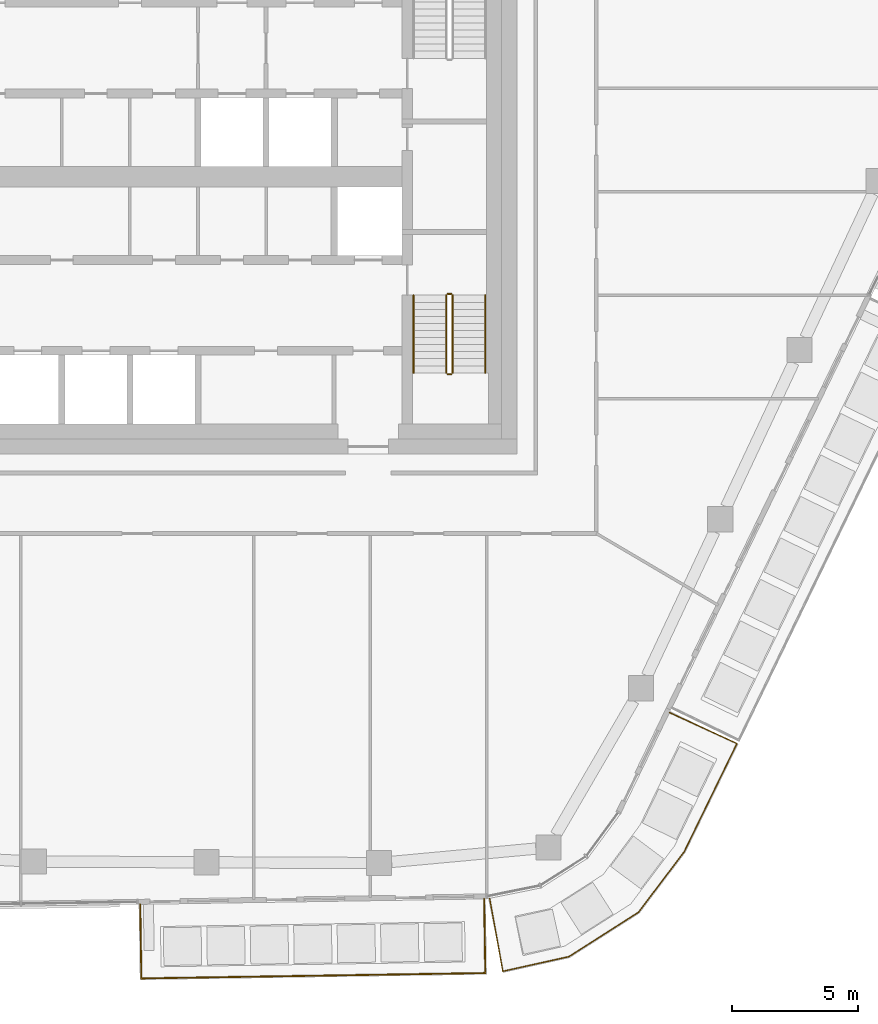
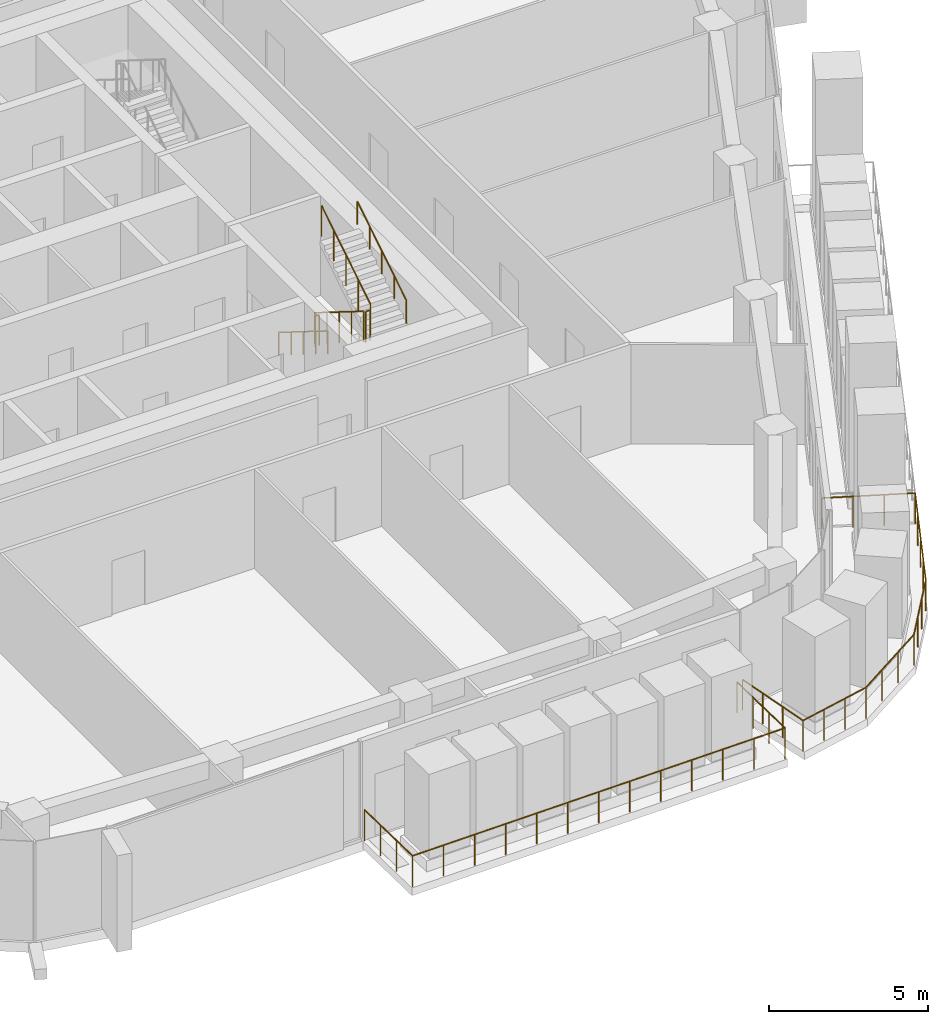
# One storey, part 20 of 24: 8 railings.
"""IFC4 building model written with IfcOpenShell, lengths in metres."""

from ifc_helpers import new_model, si_unit, direction, frame, origin, origin_2d, place, context, subcontext, project, spatial, circle, extrude, material, type_object, element, save


model = new_model("IFC4")

# Units and contexts
model_context = context("Model", 3, precision=1e-05, world=origin(), true_north=direction((0.0, 1.0)))
body_context = subcontext(model_context, "Body", "Model", "MODEL_VIEW")
ifc_project = project(units=[si_unit("LENGTHUNIT", "METRE"), si_unit("AREAUNIT", "SQUARE_METRE"), si_unit("VOLUMEUNIT", "CUBIC_METRE"), si_unit("PLANEANGLEUNIT", "RADIAN"), si_unit("MASSUNIT", "GRAM", prefix="KILO")], contexts=[model_context])

# Site, building, storey
site_placement = place(None, origin())
site = spatial("IfcSite", under=ifc_project, at=site_placement, CompositionType="ELEMENT")
building_placement = place(site_placement, origin())
building = spatial("IfcBuilding", under=site, at=building_placement, Name="Dongbaek Canopy Tower", CompositionType="ELEMENT")
storey_placement = place(building_placement, frame((0.0, 0.0, 302.60009765625)))
storey = spatial("IfcBuildingStorey", under=building, at=storey_placement, Name="L64", CompositionType="ELEMENT", Elevation=302.60009765625)

# Railings
ifc_material_1 = material(Name="Stainless steel", Category="steel")
railing_type_1 = type_object("IfcRailingType", Name="Balcony balustrade 1200", PredefinedType="BALUSTRADE", material=ifc_material_1)
railing_1_placement = place(storey_placement, frame((-0.943359375, -28.865478515625, 0.0)))
element("IfcRailing", 1, at=railing_1_placement, inside=storey, type_object=railing_type_1, Name="Balcony guard L64 4", PredefinedType="BALUSTRADE", context=body_context, shape_type="SweptSolid", body=[
    extrude(circle(Radius=0.02392578125, at=origin_2d()), frame((0.0, 0.0, 1.17578125), z_axis=(0.015694437486, -0.999876834731, 0.0), x_axis=(0.999876834731, 0.015694437486, 0.0)), (0.0, 0.0, 1.0), 2.93994140625),
    extrude(circle(Radius=0.02392578125, at=origin_2d()), frame((0.046142578125, -2.939697265625, 1.17578125), z_axis=(0.999876923775, 0.015688763569, 0.0), x_axis=(-0.015688763569, 0.999876923775, 0.0)), (0.0, 0.0, 1.0), 13.6474609375),
    extrude(circle(Radius=0.02392578125, at=origin_2d()), frame((13.69189453125, -2.7255859375, 1.17578125), z_axis=(-0.015695740689, 0.999876814275, 0.0), x_axis=(-0.999876814275, -0.015695740689, 0.0)), (0.0, 0.0, 1.0), 2.939697265625),
    extrude(circle(Radius=0.02099609375, at=origin_2d()), origin(), (0.0, 0.0, 1.0), 1.15185546875),
    extrude(circle(Radius=0.02099609375, at=origin_2d()), frame((0.015380859375, -0.97998046875, 0.0)), (0.0, 0.0, 1.0), 1.15185546875),
    extrude(circle(Radius=0.02099609375, at=origin_2d()), frame((0.03076171875, -1.959716796875, 0.0)), (0.0, 0.0, 1.0), 1.15185546875),
    extrude(circle(Radius=0.02099609375, at=origin_2d()), frame((0.046142578125, -2.939697265625, 0.0)), (0.0, 0.0, 1.0), 1.15185546875),
    extrude(circle(Radius=0.02099609375, at=origin_2d()), frame((1.183349609375, -2.921875, 0.0)), (0.0, 0.0, 1.0), 1.15185546875),
    extrude(circle(Radius=0.02099609375, at=origin_2d()), frame((2.3203125, -2.904052734375, 0.0)), (0.0, 0.0, 1.0), 1.15185546875),
    extrude(circle(Radius=0.02099609375, at=origin_2d()), frame((3.45751953125, -2.88623046875, 0.0)), (0.0, 0.0, 1.0), 1.15185546875),
    extrude(circle(Radius=0.02099609375, at=origin_2d()), frame((4.5947265625, -2.868408203125, 0.0)), (0.0, 0.0, 1.0), 1.15185546875),
    extrude(circle(Radius=0.02099609375, at=origin_2d()), frame((5.73193359375, -2.8505859375, 0.0)), (0.0, 0.0, 1.0), 1.15185546875),
    extrude(circle(Radius=0.02099609375, at=origin_2d()), frame((6.869140625, -2.83251953125, 0.0)), (0.0, 0.0, 1.0), 1.15185546875),
    extrude(circle(Radius=0.02099609375, at=origin_2d()), frame((8.006103515625, -2.814697265625, 0.0)), (0.0, 0.0, 1.0), 1.15185546875),
    extrude(circle(Radius=0.02099609375, at=origin_2d()), frame((9.143310546875, -2.796875, 0.0)), (0.0, 0.0, 1.0), 1.15185546875),
    extrude(circle(Radius=0.02099609375, at=origin_2d()), frame((10.280517578125, -2.779052734375, 0.0)), (0.0, 0.0, 1.0), 1.15185546875),
    extrude(circle(Radius=0.02099609375, at=origin_2d()), frame((11.41748046875, -2.76123046875, 0.0)), (0.0, 0.0, 1.0), 1.15185546875),
    extrude(circle(Radius=0.02099609375, at=origin_2d()), frame((12.5546875, -2.743408203125, 0.0)), (0.0, 0.0, 1.0), 1.15185546875),
    extrude(circle(Radius=0.02099609375, at=origin_2d()), frame((13.69189453125, -2.7255859375, 0.0)), (0.0, 0.0, 1.0), 1.15185546875),
    extrude(circle(Radius=0.02099609375, at=origin_2d()), frame((13.676513671875, -1.745849609375, 0.0)), (0.0, 0.0, 1.0), 1.15185546875),
    extrude(circle(Radius=0.02099609375, at=origin_2d()), frame((13.6611328125, -0.765869140625, 0.0)), (0.0, 0.0, 1.0), 1.15185546875),
    extrude(circle(Radius=0.02099609375, at=origin_2d()), frame((13.645751953125, 0.2138671875, 0.0)), (0.0, 0.0, 1.0), 1.15185546875),
])
railing_2_placement = place(storey_placement, frame((12.920166015625, -28.6279296875, 0.0)))
element("IfcRailing", 2, at=railing_2_placement, inside=storey, type_object=railing_type_1, Name="Balcony guard L64 8", PredefinedType="BALUSTRADE", context=body_context, shape_type="SweptSolid", body=[
    extrude(circle(Radius=0.02392578125, at=origin_2d()), frame((0.0, 0.0, 1.17578125), z_axis=(0.178330161984, -0.983970707555, 0.0), x_axis=(0.983970707555, 0.178330161984, 0.0)), (0.0, 0.0, 1.0), 2.940673828125),
    extrude(circle(Radius=0.02392578125, at=origin_2d()), frame((0.5244140625, -2.8935546875, 1.17578125), z_axis=(0.976289674144, 0.216468178169, 0.0), x_axis=(-0.216468178169, 0.976289674144, 0.0)), (0.0, 0.0, 1.0), 2.684326171875),
    extrude(circle(Radius=0.02392578125, at=origin_2d()), frame((3.14501953125, -2.3125, 1.17578125), z_axis=(0.843107940563, 0.537744363577, 0.0), x_axis=(-0.537744363577, 0.843107940563, 0.0)), (0.0, 0.0, 1.0), 3.271484375),
    extrude(circle(Radius=0.02392578125, at=origin_2d()), frame((5.9033203125, -0.55322265625, 1.17578125), z_axis=(0.603154935556, 0.797624049108, 0.0), x_axis=(-0.797624049108, 0.603154935556, 0.0)), (0.0, 0.0, 1.0), 3.004150390625),
    extrude(circle(Radius=0.02392578125, at=origin_2d()), frame((7.71533203125, 1.843017578125, 1.17578125), z_axis=(0.43816512398, 0.898894501111, 0.0), x_axis=(-0.898894501111, 0.43816512398, 0.0)), (0.0, 0.0, 1.0), 4.782470703125),
    extrude(circle(Radius=0.02392578125, at=origin_2d()), frame((9.810791015625, 6.141845703125, 1.17578125), z_axis=(-0.90870152935, 0.417446440345, 0.0), x_axis=(-0.417446440345, -0.90870152935, 0.0)), (0.0, 0.0, 1.0), 2.940673828125),
    extrude(circle(Radius=0.02099609375, at=origin_2d()), origin(), (0.0, 0.0, 1.0), 1.15185546875),
    extrude(circle(Radius=0.02099609375, at=origin_2d()), frame((0.1748046875, -0.964599609375, 0.0)), (0.0, 0.0, 1.0), 1.15185546875),
    extrude(circle(Radius=0.02099609375, at=origin_2d()), frame((0.349609375, -1.928955078125, 0.0)), (0.0, 0.0, 1.0), 1.15185546875),
    extrude(circle(Radius=0.02099609375, at=origin_2d()), frame((0.5244140625, -2.8935546875, 0.0)), (0.0, 0.0, 1.0), 1.15185546875),
    extrude(circle(Radius=0.02099609375, at=origin_2d()), frame((1.39794921875, -2.699951171875, 0.0)), (0.0, 0.0, 1.0), 1.15185546875),
    extrude(circle(Radius=0.02099609375, at=origin_2d()), frame((2.271484375, -2.506103515625, 0.0)), (0.0, 0.0, 1.0), 1.15185546875),
    extrude(circle(Radius=0.02099609375, at=origin_2d()), frame((3.14501953125, -2.3125, 0.0)), (0.0, 0.0, 1.0), 1.15185546875),
    extrude(circle(Radius=0.02099609375, at=origin_2d()), frame((4.064453125, -1.72607421875, 0.0)), (0.0, 0.0, 1.0), 1.15185546875),
    extrude(circle(Radius=0.02099609375, at=origin_2d()), frame((4.98388671875, -1.1396484375, 0.0)), (0.0, 0.0, 1.0), 1.15185546875),
    extrude(circle(Radius=0.02099609375, at=origin_2d()), frame((5.9033203125, -0.55322265625, 0.0)), (0.0, 0.0, 1.0), 1.15185546875),
    extrude(circle(Radius=0.02099609375, at=origin_2d()), frame((6.50732421875, 0.24560546875, 0.0)), (0.0, 0.0, 1.0), 1.15185546875),
    extrude(circle(Radius=0.02099609375, at=origin_2d()), frame((7.111328125, 1.044189453125, 0.0)), (0.0, 0.0, 1.0), 1.15185546875),
    extrude(circle(Radius=0.02099609375, at=origin_2d()), frame((7.71533203125, 1.843017578125, 0.0)), (0.0, 0.0, 1.0), 1.15185546875),
    extrude(circle(Radius=0.02099609375, at=origin_2d()), frame((8.2392578125, 2.917724609375, 0.0)), (0.0, 0.0, 1.0), 1.15185546875),
    extrude(circle(Radius=0.02099609375, at=origin_2d()), frame((8.76318359375, 3.992431640625, 0.0)), (0.0, 0.0, 1.0), 1.15185546875),
    extrude(circle(Radius=0.02099609375, at=origin_2d()), frame((9.286865234375, 5.067138671875, 0.0)), (0.0, 0.0, 1.0), 1.15185546875),
    extrude(circle(Radius=0.02099609375, at=origin_2d()), frame((9.810791015625, 6.141845703125, 0.0)), (0.0, 0.0, 1.0), 1.15185546875),
    extrude(circle(Radius=0.02099609375, at=origin_2d()), frame((8.920166015625, 6.551025390625, 0.0)), (0.0, 0.0, 1.0), 1.15185546875),
    extrude(circle(Radius=0.02099609375, at=origin_2d()), frame((8.029296875, 6.960205078125, 0.0)), (0.0, 0.0, 1.0), 1.15185546875),
    extrude(circle(Radius=0.02099609375, at=origin_2d()), frame((7.138671875, 7.369384765625, 0.0)), (0.0, 0.0, 1.0), 1.15185546875),
])
ifc_material_2 = material(Name="Stainless steel tube and balusters", Category="steel")
railing_type_2 = type_object("IfcRailingType", Name="Stair guard 1200", PredefinedType="GUARDRAIL", material=ifc_material_2)
railing_3_placement = place(storey_placement, frame((11.199951171875, -4.699951171875, 0.1748046875)))
element("IfcRailing", 3, at=railing_3_placement, inside=storey, type_object=railing_type_2, Name="L64 ST-B stair guard 1", PredefinedType="GUARDRAIL", context=body_context, shape_type="SweptSolid", body=[
    extrude(circle(Radius=0.02392578125, at=origin_2d()), frame((0.0, 0.0, 1.17578125), z_axis=(0.0, -0.847998304005, 0.529998940003), x_axis=(1.0, 0.0, 0.0)), (0.0, 0.0, 1.0), 3.632080078125),
    extrude(circle(Radius=0.02099609375, at=origin_2d()), origin(), (0.0, 0.0, 1.0), 1.15185546875),
    extrude(circle(Radius=0.02099609375, at=origin_2d()), frame((0.0, -0.77001953125, 0.481201171875)), (0.0, 0.0, 1.0), 1.15185546875),
    extrude(circle(Radius=0.02099609375, at=origin_2d()), frame((0.0, -1.5400390625, 0.96240234375)), (0.0, 0.0, 1.0), 1.15185546875),
    extrude(circle(Radius=0.02099609375, at=origin_2d()), frame((0.0, -2.31005859375, 1.44384765625)), (0.0, 0.0, 1.0), 1.15185546875),
    extrude(circle(Radius=0.02099609375, at=origin_2d()), frame((0.0, -3.080078125, 1.925048828125)), (0.0, 0.0, 1.0), 1.15185546875),
])
railing_4_placement = place(storey_placement, frame((11.25, -7.830078125, 2.099853515625)))
element("IfcRailing", 4, at=railing_4_placement, inside=storey, type_object=railing_type_2, Name="L64 ST-B stair guard 2", PredefinedType="GUARDRAIL", context=body_context, shape_type="SweptSolid", body=[
    extrude(circle(Radius=0.02392578125, at=origin_2d()), frame((0.0, 0.0, 1.17578125), z_axis=(1.0, 0.0, 0.0), x_axis=(0.0, 1.0, 0.0)), (0.0, 0.0, 1.0), 0.14990234375),
    extrude(circle(Radius=0.02099609375, at=origin_2d()), origin(), (0.0, 0.0, 1.0), 1.15185546875),
    extrude(circle(Radius=0.02099609375, at=origin_2d()), frame((0.14990234375, 0.0, 0.0)), (0.0, 0.0, 1.0), 1.15185546875),
])
railing_5_placement = place(storey_placement, frame((11.449951171875, -7.780029296875, 2.27490234375)))
element("IfcRailing", 5, at=railing_5_placement, inside=storey, type_object=railing_type_2, Name="L64 ST-B stair guard 3", PredefinedType="GUARDRAIL", context=body_context, shape_type="SweptSolid", body=[
    extrude(circle(Radius=0.02392578125, at=origin_2d()), frame((0.0, 0.0, 1.17578125), z_axis=(0.0, 0.847998304005, 0.529998940003), x_axis=(-1.0, 0.0, 0.0)), (0.0, 0.0, 1.0), 3.632080078125),
    extrude(circle(Radius=0.02099609375, at=origin_2d()), origin(), (0.0, 0.0, 1.0), 1.15185546875),
    extrude(circle(Radius=0.02099609375, at=origin_2d()), frame((0.0, 0.77001953125, 0.481201171875)), (0.0, 0.0, 1.0), 1.15185546875),
    extrude(circle(Radius=0.02099609375, at=origin_2d()), frame((0.0, 1.5400390625, 0.96240234375)), (0.0, 0.0, 1.0), 1.15185546875),
    extrude(circle(Radius=0.02099609375, at=origin_2d()), frame((0.0, 2.31005859375, 1.44384765625)), (0.0, 0.0, 1.0), 1.15185546875),
    extrude(circle(Radius=0.02099609375, at=origin_2d()), frame((0.0, 3.080078125, 1.925048828125)), (0.0, 0.0, 1.0), 1.15185546875),
])
railing_6_placement = place(storey_placement, frame((11.25, -4.64990234375, 0.0)))
element("IfcRailing", 6, at=railing_6_placement, inside=storey, type_object=railing_type_2, Name="L64 ST-B stair guard 4", PredefinedType="GUARDRAIL", context=body_context, shape_type="SweptSolid", body=[
    extrude(circle(Radius=0.02392578125, at=origin_2d()), frame((0.0, 0.0, 1.17578125), z_axis=(1.0, 0.0, 0.0), x_axis=(0.0, 1.0, 0.0)), (0.0, 0.0, 1.0), 0.14990234375),
    extrude(circle(Radius=0.02099609375, at=origin_2d()), origin(), (0.0, 0.0, 1.0), 1.15185546875),
    extrude(circle(Radius=0.02099609375, at=origin_2d()), frame((0.14990234375, 0.0, 0.0)), (0.0, 0.0, 1.0), 1.15185546875),
])
ifc_material_3 = material(Name="Stainless steel tube", Category="steel")
railing_type_3 = type_object("IfcRailingType", Name="Stair handrail 900", PredefinedType="HANDRAIL", material=ifc_material_3)
railing_7_placement = place(storey_placement, frame((9.89990234375, -4.699951171875, 0.1748046875)))
element("IfcRailing", 7, at=railing_7_placement, inside=storey, type_object=railing_type_3, Name="L64 ST-B stair handrail 1", PredefinedType="HANDRAIL", context=body_context, shape_type="SweptSolid", body=[
    extrude(circle(Radius=0.02392578125, at=origin_2d()), frame((0.0, 0.0, 0.8759765625), z_axis=(0.0, -0.847998304005, 0.529998940003), x_axis=(1.0, 0.0, 0.0)), (0.0, 0.0, 1.0), 3.632080078125),
    extrude(circle(Radius=0.02099609375, at=origin_2d()), origin(), (0.0, 0.0, 1.0), 0.851806640625),
    extrude(circle(Radius=0.02099609375, at=origin_2d()), frame((0.0, -0.77001953125, 0.481201171875)), (0.0, 0.0, 1.0), 0.851806640625),
    extrude(circle(Radius=0.02099609375, at=origin_2d()), frame((0.0, -1.5400390625, 0.96240234375)), (0.0, 0.0, 1.0), 0.851806640625),
    extrude(circle(Radius=0.02099609375, at=origin_2d()), frame((0.0, -2.31005859375, 1.44384765625)), (0.0, 0.0, 1.0), 0.851806640625),
    extrude(circle(Radius=0.02099609375, at=origin_2d()), frame((0.0, -3.080078125, 1.925048828125)), (0.0, 0.0, 1.0), 0.851806640625),
])
railing_8_placement = place(storey_placement, frame((12.75, -7.780029296875, 2.27490234375)))
element("IfcRailing", 8, at=railing_8_placement, inside=storey, type_object=railing_type_3, Name="L64 ST-B stair handrail 2", PredefinedType="HANDRAIL", context=body_context, shape_type="SweptSolid", body=[
    extrude(circle(Radius=0.02392578125, at=origin_2d()), frame((0.0, 0.0, 0.8759765625), z_axis=(0.0, 0.847998304005, 0.529998940003), x_axis=(-1.0, 0.0, 0.0)), (0.0, 0.0, 1.0), 3.632080078125),
    extrude(circle(Radius=0.02099609375, at=origin_2d()), origin(), (0.0, 0.0, 1.0), 0.851806640625),
    extrude(circle(Radius=0.02099609375, at=origin_2d()), frame((0.0, 0.77001953125, 0.481201171875)), (0.0, 0.0, 1.0), 0.851806640625),
    extrude(circle(Radius=0.02099609375, at=origin_2d()), frame((0.0, 1.5400390625, 0.96240234375)), (0.0, 0.0, 1.0), 0.851806640625),
    extrude(circle(Radius=0.02099609375, at=origin_2d()), frame((0.0, 2.31005859375, 1.44384765625)), (0.0, 0.0, 1.0), 0.851806640625),
    extrude(circle(Radius=0.02099609375, at=origin_2d()), frame((0.0, 3.080078125, 1.925048828125)), (0.0, 0.0, 1.0), 0.851806640625),
])

save(model, "model.ifc")
